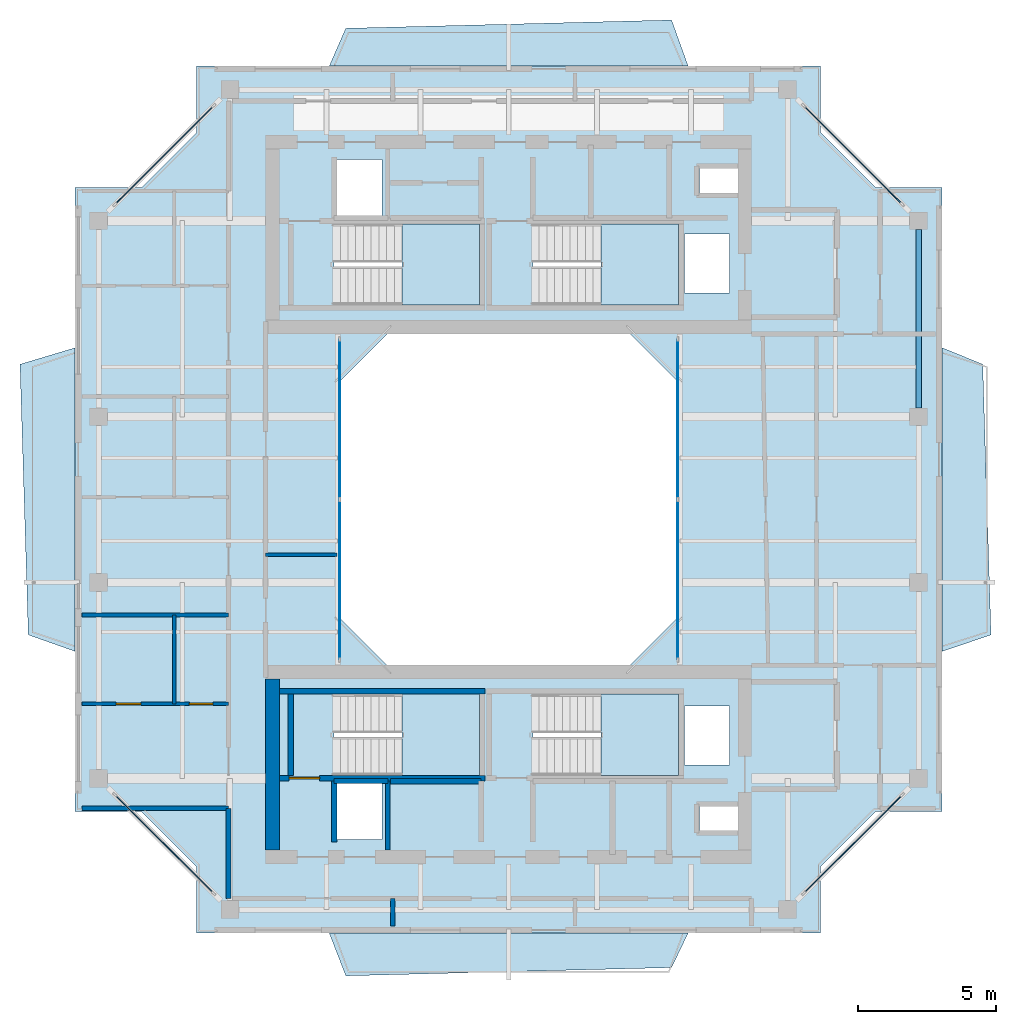
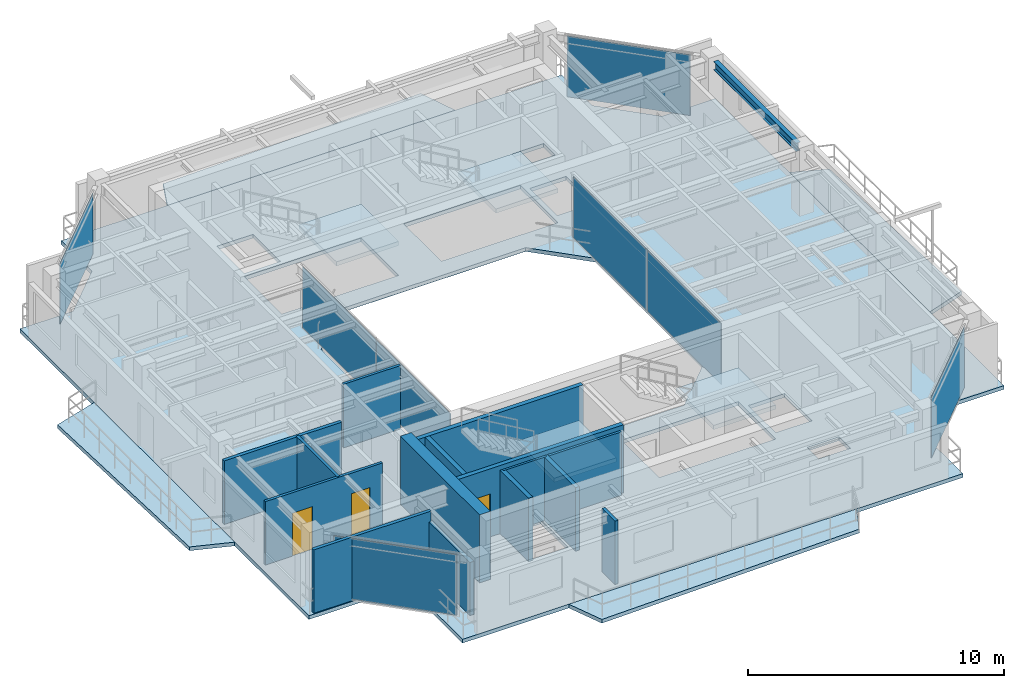
# One storey, part 8 of 14: 15 walls, 9 slabs, 8 plates, 3 doors, 1 beam, 3 openings, 10 elements without a shape of their own.
"""IFC4 building model written with IfcOpenShell, lengths in metres."""

from ifc_helpers import new_model, si_unit, direction, frame, frame_2d, origin, origin_2d, place, context, subcontext, project, spatial, polyline, rectangle, i_section, outline, extrude, source, transform, mapped, material, layer, layer_set, material_profile, profile_set, type_object, element, fill, aggregate, save


model = new_model("IFC4")

# Units and contexts
model_context = context("Model", 3, precision=1e-05, world=origin(), true_north=direction((0.0, 1.0)))
body_context = subcontext(model_context, "Body", "Model", "MODEL_VIEW")
ifc_project = project(units=[si_unit("LENGTHUNIT", "METRE"), si_unit("AREAUNIT", "SQUARE_METRE"), si_unit("VOLUMEUNIT", "CUBIC_METRE"), si_unit("PLANEANGLEUNIT", "RADIAN"), si_unit("MASSUNIT", "GRAM", prefix="KILO"), si_unit("THERMODYNAMICTEMPERATUREUNIT", "KELVIN"), si_unit("POWERUNIT", "WATT")], contexts=[model_context])

# Site, building, storey
site_placement = place(None, origin())
site = spatial("IfcSite", under=ifc_project, at=site_placement, CompositionType="ELEMENT")
building_placement = place(site_placement, origin())
building = spatial("IfcBuilding", under=site, at=building_placement, Name="Qiaomeng Ring Towers", CompositionType="ELEMENT")
storey_placement = place(building_placement, frame((0.0, 0.0, 260.0)))
storey = spatial("IfcBuildingStorey", under=building, at=storey_placement, Name="L76", CompositionType="ELEMENT", Elevation=260.0)

# Beam
ifc_material_1 = material(Name="Steel Q355B", Category="steel")
ifc_material_profile = material_profile(ifc_material_1, i_section(OverallWidth=0.198974609375, OverallDepth=0.39599609375, WebThickness=0.007080078125, FlangeThickness=0.010986328125, FilletRadius=0.01611328125, at=origin_2d()), Name="HN 396x199x7x11")
ifc_profile_set = profile_set([ifc_material_profile], Name="Steel Q355B")
beam_type = type_object("IfcBeamType", Name="STR-BM-HN396", PredefinedType="SPANDREL", material=ifc_profile_set)
shared_shape_1 = source(origin(), body_context, "Body", "SweptSolid", [
    extrude(i_section(OverallWidth=0.198974609375, OverallDepth=0.39599609375, WebThickness=0.007080078125, FlangeThickness=0.010986328125, FilletRadius=0.01611328125, at=origin_2d()), origin(), (0.0, 0.0, 1.0), 6.451904296875),
])
beam_placement = place(storey_placement, frame((33.85009765625, 26.323974609375, 2.83203125), z_axis=(0.0, 1.0, 0.0), x_axis=(-1.0, 0.0, 0.0)))
element("IfcBeam", 1, at=beam_placement, inside=storey, type_object=beam_type, Name="L76 beam STR-SP-L76-T1-E3-E4", PredefinedType="SPANDREL", context=body_context, shape_type="MappedRepresentation", body=[
    mapped(shared_shape_1, transform((0.0, 0.0, 0.0), x_axis=(1.0, 0.0, 0.0), y_axis=(0.0, 1.0, 0.0), z_axis=(0.0, 0.0, 1.0), scale=1.0)),
])

# Slabs
ifc_material_2 = material(Name="Concrete C40", Category="concrete")
ifc_layer_1 = layer(ifc_material_2, 0.179931640625, Name="Concrete C40")
ifc_layer_set_1 = layer_set([ifc_layer_1], Name="Concrete C40")
slab_type_1 = type_object("IfcSlabType", Name="STR-SL-180", PredefinedType="FLOOR", material=ifc_layer_set_1)
slab_1_placement = place(storey_placement, frame((0.0, 0.0, -0.179931640625)))
element("IfcSlab", 2, at=slab_1_placement, inside=storey, type_object=slab_type_1, Name="L76 Tower 1 Annular Floor Slab", PredefinedType="FLOOR", context=body_context, shape_type="SweptSolid", body=[
    extrude(outline(polyline([(7.699951171875, 7.300048828125), (30.300048828125, 7.300048828125), (30.300048828125, 9.699951171875), (32.300048828125, 11.699951171875), (34.699951171875, 11.699951171875), (34.699951171875, 34.300048828125), (32.300048828125, 34.300048828125), (30.300048828125, 36.300048828125), (30.300048828125, 38.699951171875), (7.699951171875, 38.699951171875), (7.699951171875, 36.300048828125), (5.699951171875, 34.300048828125), (3.300048828125, 34.300048828125), (3.300048828125, 11.699951171875), (5.699951171875, 11.699951171875), (7.699951171875, 9.699951171875), (7.699951171875, 7.300048828125)]), holes=[polyline([(12.780029296875, 10.679931640625), (12.780029296875, 12.820068359375), (14.419921875, 12.820068359375), (14.419921875, 10.679931640625), (12.780029296875, 10.679931640625)]), polyline([(12.679931640625, 13.010009765625), (12.679931640625, 15.949951171875), (17.949951171875, 15.949951171875), (17.949951171875, 13.010009765625), (12.679931640625, 13.010009765625)]), polyline([(23.199951171875, 29.199951171875), (25.199951171875, 27.199951171875), (25.199951171875, 18.800048828125), (23.199951171875, 16.800048828125), (14.800048828125, 16.800048828125), (12.800048828125, 18.800048828125), (12.800048828125, 27.199951171875), (14.800048828125, 29.199951171875), (23.199951171875, 29.199951171875)]), polyline([(12.679931640625, 32.989990234375), (17.949951171875, 32.989990234375), (17.949951171875, 30.050048828125), (12.679931640625, 30.050048828125), (12.679931640625, 32.989990234375)]), polyline([(19.8798828125, 32.989990234375), (25.14990234375, 32.989990234375), (25.14990234375, 30.050048828125), (19.8798828125, 30.050048828125), (19.8798828125, 32.989990234375)]), polyline([(12.780029296875, 33.179931640625), (12.780029296875, 35.320068359375), (14.419921875, 35.320068359375), (14.419921875, 33.179931640625), (12.780029296875, 33.179931640625)]), polyline([(25.919921875, 11.89990234375), (27.360107421875, 11.89990234375), (27.360107421875, 11.0), (25.919921875, 11.0), (25.919921875, 11.89990234375)]), polyline([(25.360107421875, 15.52001953125), (27.0, 15.52001953125), (27.0, 13.3798828125), (25.360107421875, 13.3798828125), (25.360107421875, 15.52001953125)]), polyline([(19.8798828125, 13.010009765625), (19.8798828125, 15.949951171875), (25.14990234375, 15.949951171875), (25.14990234375, 13.010009765625), (19.8798828125, 13.010009765625)]), polyline([(25.360107421875, 32.6201171875), (27.0, 32.6201171875), (27.0, 30.47998046875), (25.360107421875, 30.47998046875), (25.360107421875, 32.6201171875)]), polyline([(25.919921875, 35.0), (27.360107421875, 35.0), (27.360107421875, 34.10009765625), (25.919921875, 34.10009765625), (25.919921875, 35.0)])]), origin(), (0.0, 0.0, 1.0), 0.179931640625),
])
ifc_layer_2 = layer(ifc_material_2, 0.179931640625, Name="Concrete C40")
ifc_layer_set_2 = layer_set([ifc_layer_2], Name="Concrete C40")
slab_type_2 = type_object("IfcSlabType", Name="STR-SL-BAL", PredefinedType="FLOOR", material=ifc_layer_set_2)
slab_2_placement = place(storey_placement, frame((0.0, 0.0, -0.179931640625)))
element("IfcSlab", 3, at=slab_2_placement, inside=storey, type_object=slab_type_2, Name="L76 Tower 1 S Faceted Balcony Slab", PredefinedType="FLOOR", context=body_context, shape_type="SweptSolid", body=[
    extrude(outline(polyline([(24.89990234375, 6.050048828125), (13.10009765625, 5.75), (12.5, 7.300048828125), (25.5, 7.300048828125), (24.89990234375, 6.050048828125)])), origin(), (0.0, 0.0, 1.0), 0.179931640625),
])
slab_3_placement = place(storey_placement, frame((0.0, 0.0, -0.179931640625)))
element("IfcSlab", 4, at=slab_3_placement, inside=storey, type_object=slab_type_2, Name="L76 Tower 1 E Faceted Balcony Slab", PredefinedType="FLOOR", context=body_context, shape_type="SweptSolid", body=[
    extrude(outline(polyline([(36.169921875, 27.89990234375), (36.469970703125, 18.10009765625), (34.699951171875, 17.5), (34.699951171875, 28.5), (36.169921875, 27.89990234375)])), origin(), (0.0, 0.0, 1.0), 0.179931640625),
])
slab_4_placement = place(storey_placement, frame((0.0, 0.0, -0.179931640625)))
element("IfcSlab", 5, at=slab_4_placement, inside=storey, type_object=slab_type_2, Name="L76 Tower 1 N Faceted Balcony Slab", PredefinedType="FLOOR", context=body_context, shape_type="SweptSolid", body=[
    extrude(outline(polyline([(12.5, 38.699951171875), (13.10009765625, 40.070068359375), (24.89990234375, 40.3701171875), (25.5, 38.699951171875), (12.5, 38.699951171875)])), origin(), (0.0, 0.0, 1.0), 0.179931640625),
])
slab_5_placement = place(storey_placement, frame((0.0, 0.0, -0.179931640625)))
element("IfcSlab", 6, at=slab_5_placement, inside=storey, type_object=slab_type_2, Name="L76 Tower 1 W Faceted Balcony Slab", PredefinedType="FLOOR", context=body_context, shape_type="SweptSolid", body=[
    extrude(outline(polyline([(1.60009765625, 18.10009765625), (1.300048828125, 27.89990234375), (3.300048828125, 28.5), (3.300048828125, 17.5), (1.60009765625, 18.10009765625)])), origin(), (0.0, 0.0, 1.0), 0.179931640625),
])

# Stair, slab
ifc_material_3 = material(Name="Precast concrete C40", Category="concrete")
stair_type = type_object("IfcStairType", Name="ARC-ST-325", PredefinedType="HALF_TURN_STAIR", material=ifc_material_3)
stair_1_placement = place(storey_placement, origin())
stair_1 = element("IfcStair", 7, at=stair_1_placement, inside=storey, type_object=stair_type, Name="L76 Tower 1 North Stair 1", PredefinedType="HALF_TURN_STAIR")
ifc_layer_3 = layer(ifc_material_2, 0.199951171875, Name="Concrete C40")
ifc_layer_set_3 = layer_set([ifc_layer_3], Name="Concrete C40")
slab_type_3 = type_object("IfcSlabType", Name="STR-SL-LANDING", PredefinedType="LANDING", material=ifc_layer_set_3)
slab_6_placement = place(storey_placement, frame((0.0, 0.0, 1.425048828125)))
slab_6 = element("IfcSlab", 8, at=slab_6_placement, type_object=slab_type_3, Name="ST1 landing 1", PredefinedType="LANDING", context=body_context, shape_type="SweptSolid", body=[
    extrude(outline(polyline([(15.139892578125, 30.050048828125), (17.949951171875, 30.050048828125), (17.949951171875, 32.989990234375), (15.139892578125, 32.989990234375), (15.139892578125, 30.050048828125)])), origin(), (0.0, 0.0, 1.0), 0.199951171875),
])
aggregate(stair_1, [slab_6])

stair_2_placement = place(storey_placement, origin())
stair_2 = element("IfcStair", 9, at=stair_2_placement, inside=storey, type_object=stair_type, Name="L76 Tower 1 North Stair 2", PredefinedType="HALF_TURN_STAIR")
slab_7_placement = place(storey_placement, frame((0.0, 0.0, 1.425048828125)))
slab_7 = element("IfcSlab", 10, at=slab_7_placement, type_object=slab_type_3, Name="ST2 landing 1", PredefinedType="LANDING", context=body_context, shape_type="SweptSolid", body=[
    extrude(outline(polyline([(22.340087890625, 30.050048828125), (25.14990234375, 30.050048828125), (25.14990234375, 32.989990234375), (22.340087890625, 32.989990234375), (22.340087890625, 30.050048828125)])), origin(), (0.0, 0.0, 1.0), 0.199951171875),
])
aggregate(stair_2, [slab_7])

stair_3_placement = place(storey_placement, origin())
stair_3 = element("IfcStair", 11, at=stair_3_placement, inside=storey, type_object=stair_type, Name="L76 Tower 1 South Stair 3", PredefinedType="HALF_TURN_STAIR")
slab_8_placement = place(storey_placement, frame((0.0, 0.0, 1.425048828125)))
slab_8 = element("IfcSlab", 12, at=slab_8_placement, type_object=slab_type_3, Name="ST3 landing 1", PredefinedType="LANDING", context=body_context, shape_type="SweptSolid", body=[
    extrude(outline(polyline([(15.139892578125, 13.010009765625), (17.949951171875, 13.010009765625), (17.949951171875, 15.949951171875), (15.139892578125, 15.949951171875), (15.139892578125, 13.010009765625)])), origin(), (0.0, 0.0, 1.0), 0.199951171875),
])
aggregate(stair_3, [slab_8])

stair_4_placement = place(storey_placement, origin())
stair_4 = element("IfcStair", 13, at=stair_4_placement, inside=storey, type_object=stair_type, Name="L76 Tower 1 South Stair 4", PredefinedType="HALF_TURN_STAIR")
slab_9_placement = place(storey_placement, frame((0.0, 0.0, 1.425048828125)))
slab_9 = element("IfcSlab", 14, at=slab_9_placement, type_object=slab_type_3, Name="ST4 landing 1", PredefinedType="LANDING", context=body_context, shape_type="SweptSolid", body=[
    extrude(outline(polyline([(22.340087890625, 13.010009765625), (25.14990234375, 13.010009765625), (25.14990234375, 15.949951171875), (22.340087890625, 15.949951171875), (22.340087890625, 13.010009765625)])), origin(), (0.0, 0.0, 1.0), 0.199951171875),
])
aggregate(stair_4, [slab_9])

# Curtain wall, plates
ifc_material_4 = material(Name="Fluorocarbon dark-grey aluminium", Category="aluminium")
ifc_layer_4 = layer(ifc_material_4, 0.139892578125, Name="Fluorocarbon dark-grey aluminium")
ifc_layer_set_4 = layer_set([ifc_layer_4], Name="Fluorocarbon dark-grey aluminium")
curtain_wall_type_1 = type_object("IfcCurtainWallType", Name="ARC-CW-4", PredefinedType="NOTDEFINED", material=ifc_layer_set_4)
curtain_wall_1_placement = place(storey_placement, origin())
curtain_wall_1 = element("IfcCurtainWall", 15, at=curtain_wall_1_placement, inside=storey, type_object=curtain_wall_type_1, Name="L76 Curtain Wall CW4", PredefinedType="NOTDEFINED")
ifc_material_5 = material(Name="Low-E dark-grey laminated double glazing", Category="glass")
ifc_layer_5 = layer(ifc_material_5, 0.028076171875, Name="Low-E dark-grey laminated double glazing")
ifc_layer_set_5 = layer_set([ifc_layer_5], Name="Low-E dark-grey laminated double glazing")
plate_type = type_object("IfcPlateType", Name="ARC-CWP-DARK", PredefinedType="CURTAIN_PANEL", material=ifc_layer_set_5)
shared_shape_2 = source(origin(), body_context, "Body", "SweptSolid", [
    extrude(rectangle(XDim=5.75244140625, YDim=0.028076171875, at=origin_2d()), origin(), (0.0, 0.0, 1.0), 2.89990234375),
])
plate_1_placement = place(storey_placement, frame((12.8798828125, 20.09130859375, 0.06494140625), z_axis=(0.0, 0.0, 1.0), x_axis=(0.0, 1.0, 0.0)))
plate_1 = element("IfcPlate", 16, at=plate_1_placement, type_object=plate_type, Name="CW4 panel 1.1", PredefinedType="CURTAIN_PANEL", context=body_context, shape_type="MappedRepresentation", body=[
    mapped(shared_shape_2, transform((0.0, 0.0, 0.0), x_axis=(1.0, 0.0, 0.0), y_axis=(0.0, 1.0, 0.0), z_axis=(0.0, 0.0, 1.0), scale=1.0)),
])
plate_2_placement = place(storey_placement, frame((12.8798828125, 25.90869140625, 0.06494140625), z_axis=(0.0, 0.0, 1.0), x_axis=(0.0, 1.0, 0.0)))
plate_2 = element("IfcPlate", 17, at=plate_2_placement, type_object=plate_type, Name="CW4 panel 2.1", PredefinedType="CURTAIN_PANEL", context=body_context, shape_type="MappedRepresentation", body=[
    mapped(shared_shape_2, transform((0.0, 0.0, 0.0), x_axis=(1.0, 0.0, 0.0), y_axis=(0.0, 1.0, 0.0), z_axis=(0.0, 0.0, 1.0), scale=1.0)),
])
aggregate(curtain_wall_1, [plate_1, plate_2])

curtain_wall_2_placement = place(storey_placement, origin())
curtain_wall_2 = element("IfcCurtainWall", 18, at=curtain_wall_2_placement, inside=storey, type_object=curtain_wall_type_1, Name="L76 Curtain Wall CW4", PredefinedType="NOTDEFINED")
plate_3_placement = place(storey_placement, frame((25.1201171875, 20.09130859375, 0.06494140625), z_axis=(0.0, 0.0, 1.0), x_axis=(0.0, 1.0, 0.0)))
plate_3 = element("IfcPlate", 19, at=plate_3_placement, type_object=plate_type, Name="CW4 panel 1.1", PredefinedType="CURTAIN_PANEL", context=body_context, shape_type="MappedRepresentation", body=[
    mapped(shared_shape_2, transform((0.0, 0.0, 0.0), x_axis=(1.0, 0.0, 0.0), y_axis=(0.0, 1.0, 0.0), z_axis=(0.0, 0.0, 1.0), scale=1.0)),
])
plate_4_placement = place(storey_placement, frame((25.1201171875, 25.90869140625, 0.06494140625), z_axis=(0.0, 0.0, 1.0), x_axis=(0.0, 1.0, 0.0)))
plate_4 = element("IfcPlate", 20, at=plate_4_placement, type_object=plate_type, Name="CW4 panel 2.1", PredefinedType="CURTAIN_PANEL", context=body_context, shape_type="MappedRepresentation", body=[
    mapped(shared_shape_2, transform((0.0, 0.0, 0.0), x_axis=(1.0, 0.0, 0.0), y_axis=(0.0, 1.0, 0.0), z_axis=(0.0, 0.0, 1.0), scale=1.0)),
])
aggregate(curtain_wall_2, [plate_3, plate_4])

# Curtain wall, plate
ifc_layer_6 = layer(ifc_material_4, 0.14990234375, Name="Fluorocarbon dark-grey aluminium")
ifc_layer_set_6 = layer_set([ifc_layer_6], Name="Fluorocarbon dark-grey aluminium")
curtain_wall_type_2 = type_object("IfcCurtainWallType", Name="ARC-CW-3", PredefinedType="NOTDEFINED", material=ifc_layer_set_6)
curtain_wall_3_placement = place(storey_placement, origin())
curtain_wall_3 = element("IfcCurtainWall", 21, at=curtain_wall_3_placement, inside=storey, type_object=curtain_wall_type_2, Name="L76 Curtain Wall CW3", PredefinedType="NOTDEFINED")
shared_shape_3 = source(origin(), body_context, "Body", "SweptSolid", [
    extrude(rectangle(XDim=4.9794921875, YDim=0.028076171875, at=origin_2d()), origin(), (0.0, 0.0, 1.0), 2.89990234375),
])
plate_5_placement = place(storey_placement, frame((31.47509765625, 10.52490234375, 0.06494140625), z_axis=(0.0, 0.0, 1.0), x_axis=(0.707106781187, 0.707106781187, 0.0)))
plate_5 = element("IfcPlate", 22, at=plate_5_placement, type_object=plate_type, Name="CW3 panel 1.1", PredefinedType="CURTAIN_PANEL", context=body_context, shape_type="MappedRepresentation", body=[
    mapped(shared_shape_3, transform((0.0, 0.0, 0.0), x_axis=(1.0, 0.0, 0.0), y_axis=(0.0, 1.0, 0.0), z_axis=(0.0, 0.0, 1.0), scale=1.0)),
])
aggregate(curtain_wall_3, [plate_5])

curtain_wall_4_placement = place(storey_placement, origin())
curtain_wall_4 = element("IfcCurtainWall", 23, at=curtain_wall_4_placement, inside=storey, type_object=curtain_wall_type_2, Name="L76 Curtain Wall CW3", PredefinedType="NOTDEFINED")
plate_6_placement = place(storey_placement, frame((31.47509765625, 35.47509765625, 0.06494140625), z_axis=(0.0, 0.0, 1.0), x_axis=(-0.707106781187, 0.707106781187, 0.0)))
plate_6 = element("IfcPlate", 24, at=plate_6_placement, type_object=plate_type, Name="CW3 panel 1.1", PredefinedType="CURTAIN_PANEL", context=body_context, shape_type="MappedRepresentation", body=[
    mapped(shared_shape_3, transform((0.0, 0.0, 0.0), x_axis=(1.0, 0.0, 0.0), y_axis=(0.0, 1.0, 0.0), z_axis=(0.0, 0.0, 1.0), scale=1.0)),
])
aggregate(curtain_wall_4, [plate_6])

curtain_wall_5_placement = place(storey_placement, origin())
curtain_wall_5 = element("IfcCurtainWall", 25, at=curtain_wall_5_placement, inside=storey, type_object=curtain_wall_type_2, Name="L76 Curtain Wall CW3", PredefinedType="NOTDEFINED")
plate_7_placement = place(storey_placement, frame((6.52490234375, 35.47509765625, 0.06494140625), z_axis=(0.0, 0.0, 1.0), x_axis=(-0.707106781187, -0.707106781187, 0.0)))
plate_7 = element("IfcPlate", 26, at=plate_7_placement, type_object=plate_type, Name="CW3 panel 1.1", PredefinedType="CURTAIN_PANEL", context=body_context, shape_type="MappedRepresentation", body=[
    mapped(shared_shape_3, transform((0.0, 0.0, 0.0), x_axis=(1.0, 0.0, 0.0), y_axis=(0.0, 1.0, 0.0), z_axis=(0.0, 0.0, 1.0), scale=1.0)),
])
aggregate(curtain_wall_5, [plate_7])

curtain_wall_6_placement = place(storey_placement, origin())
curtain_wall_6 = element("IfcCurtainWall", 27, at=curtain_wall_6_placement, inside=storey, type_object=curtain_wall_type_2, Name="L76 Curtain Wall CW3", PredefinedType="NOTDEFINED")
plate_8_placement = place(storey_placement, frame((6.52490234375, 10.52490234375, 0.06494140625), z_axis=(0.0, 0.0, 1.0), x_axis=(0.707106781187, -0.707106781187, 0.0)))
plate_8 = element("IfcPlate", 28, at=plate_8_placement, type_object=plate_type, Name="CW3 panel 1.1", PredefinedType="CURTAIN_PANEL", context=body_context, shape_type="MappedRepresentation", body=[
    mapped(shared_shape_3, transform((0.0, 0.0, 0.0), x_axis=(1.0, 0.0, 0.0), y_axis=(0.0, 1.0, 0.0), z_axis=(0.0, 0.0, 1.0), scale=1.0)),
])
aggregate(curtain_wall_6, [plate_8])

# Walls
ifc_material_6 = material(Name="Autoclaved aerated concrete block", Category="concrete")
ifc_layer_7 = layer(ifc_material_6, 0.199951171875, Name="Autoclaved aerated concrete block")
ifc_layer_set_7 = layer_set([ifc_layer_7], Name="Autoclaved aerated concrete block")
wall_type_1 = type_object("IfcWallType", Name="ARC-WL-PW1", PredefinedType="PARTITIONING", material=ifc_layer_set_7)
wall_1_placement = place(storey_placement, frame((12.679931640625, 10.60009765625, 0.0), z_axis=(0.0, 0.0, 1.0), x_axis=(0.0, 1.0, 0.0)))
element("IfcWall", 29, at=wall_1_placement, inside=storey, type_object=wall_type_1, Name="L76 Interior Wall PW1", PredefinedType="PARTITIONING", context=body_context, shape_type="SweptSolid", body=[
    extrude(rectangle(XDim=2.2099609375, YDim=0.199951171875, at=frame_2d((1.10498046875, 0.0))), origin(), (0.0, 0.0, 1.0), 3.030029296875),
])
wall_2_placement = place(storey_placement, frame((14.719970703125, 12.800048828125, 0.0), z_axis=(0.0, 0.0, 1.0), x_axis=(1.0, 0.0, 0.0)))
element("IfcWall", 30, at=wall_2_placement, inside=storey, type_object=wall_type_1, Name="L76 Interior Wall PW1", PredefinedType="PARTITIONING", context=body_context, shape_type="SweptSolid", body=[
    extrude(rectangle(XDim=3.280029296875, YDim=0.199951171875, at=frame_2d((1.64013671875, 0.0))), origin(), (0.0, 0.0, 1.0), 3.030029296875),
])
ifc_layer_8 = layer(ifc_material_6, 0.179931640625, Name="Autoclaved aerated concrete block")
ifc_layer_set_8 = layer_set([ifc_layer_8], Name="Autoclaved aerated concrete block")
wall_type_2 = type_object("IfcWallType", Name="ARC-WL-PW2", PredefinedType="PARTITIONING", material=ifc_layer_set_8)
wall_3_placement = place(storey_placement, frame((8.85009765625, 8.56005859375, 0.0), z_axis=(0.0, 0.0, 1.0), x_axis=(0.0, 1.0, 0.0)))
element("IfcWall", 31, at=wall_3_placement, inside=storey, type_object=wall_type_2, Name="L76 Interior Wall PW2", PredefinedType="PARTITIONING", context=body_context, shape_type="SweptSolid", body=[
    extrude(rectangle(XDim=3.260009765625, YDim=0.179931640625, at=frame_2d((1.6298828125, 0.0))), origin(), (0.0, 0.0, 1.0), 2.529052734375),
])
ifc_material_7 = material(Name="Gypsum fireboard steel-stud partition", Category="steel")
ifc_layer_9 = layer(ifc_material_7, 0.14990234375, Name="Gypsum fireboard steel-stud partition")
ifc_layer_set_9 = layer_set([ifc_layer_9], Name="Gypsum fireboard steel-stud partition")
wall_type_3 = type_object("IfcWallType", Name="ARC-WL-PW3", PredefinedType="PARTITIONING", material=ifc_layer_set_9)
wall_4_placement = place(storey_placement, frame((3.550048828125, 11.820068359375, 0.0), z_axis=(0.0, 0.0, 1.0), x_axis=(1.0, 0.0, 0.0)))
element("IfcWall", 32, at=wall_4_placement, inside=storey, type_object=wall_type_3, Name="L76 Interior Wall PW3", PredefinedType="PARTITIONING", context=body_context, shape_type="SweptSolid", body=[
    extrude(rectangle(XDim=5.300048828125, YDim=0.14990234375, at=frame_2d((2.64990234375, 0.0))), origin(), (0.0, 0.0, 1.0), 3.030029296875),
])
wall_5_placement = place(storey_placement, frame((14.800048828125, 7.550048828125, 0.0), z_axis=(0.0, 0.0, 1.0), x_axis=(0.0, 1.0, 0.0)))
element("IfcWall", 33, at=wall_5_placement, inside=storey, type_object=wall_type_3, Name="L76 Interior Wall PW3", PredefinedType="PARTITIONING", context=body_context, shape_type="SweptSolid", body=[
    extrude(rectangle(XDim=1.010009765625, YDim=0.14990234375, at=frame_2d((0.5048828125, 0.0))), origin(), (0.0, 0.0, 1.0), 3.030029296875),
])
wall_6_placement = place(storey_placement, frame((3.550048828125, 18.820068359375, 0.0), z_axis=(0.0, 0.0, 1.0), x_axis=(1.0, 0.0, 0.0)))
element("IfcWall", 34, at=wall_6_placement, inside=storey, type_object=wall_type_3, Name="L76 Interior Wall PW3", PredefinedType="PARTITIONING", context=body_context, shape_type="SweptSolid", body=[
    extrude(rectangle(XDim=5.300048828125, YDim=0.14990234375, at=frame_2d((2.64990234375, 0.0))), origin(), (0.0, 0.0, 1.0), 3.030029296875),
])

# Wall, openings, doors
ifc_material_8 = material(Name="Moisture-resistant gypsum steel-stud partition", Category="steel")
ifc_layer_10 = layer(ifc_material_8, 0.1201171875, Name="Moisture-resistant gypsum steel-stud partition")
ifc_layer_set_10 = layer_set([ifc_layer_10], Name="Moisture-resistant gypsum steel-stud partition")
wall_type_4 = type_object("IfcWallType", Name="ARC-WL-PW4", PredefinedType="PLUMBINGWALL", material=ifc_layer_set_10)
wall_7_placement = place(storey_placement, frame((3.550048828125, 15.60009765625, 0.0), z_axis=(0.0, 0.0, 1.0), x_axis=(1.0, 0.0, 0.0)))
wall_7 = element("IfcWall", 35, at=wall_7_placement, inside=storey, type_object=wall_type_4, Name="L76 Interior Wall PW4", PredefinedType="PLUMBINGWALL", context=body_context, shape_type="SweptSolid", body=[
    extrude(rectangle(XDim=5.300048828125, YDim=0.1201171875, at=frame_2d((2.64990234375, 0.0))), origin(), (0.0, 0.0, 1.0), 3.030029296875),
])
opening_1_placement = place(wall_7_placement, frame((1.22998046875, 0.0, 0.0)))
opening_1 = element("IfcOpeningElement", 36, at=opening_1_placement, cuts=wall_7, Name="Opening ID1", PredefinedType="OPENING", context=body_context, shape_type="SweptSolid", body=[
    extrude(rectangle(XDim=0.89990234375, YDim=2.050048828125, at=frame_2d((0.449951171875, 1.02490234375))), frame((0.0, 0.070068359375, 0.0), z_axis=(0.0, -1.0, 0.0), x_axis=(1.0, 0.0, 0.0)), (0.0, 0.0, 1.0), 0.14013671875),
])
opening_2_placement = place(wall_7_placement, frame((3.885009765625, 0.0, 0.0)))
opening_2 = element("IfcOpeningElement", 37, at=opening_2_placement, cuts=wall_7, Name="Opening ID2", PredefinedType="OPENING", context=body_context, shape_type="SweptSolid", body=[
    extrude(rectangle(XDim=0.85009765625, YDim=2.050048828125, at=frame_2d((0.425048828125, 1.02490234375))), frame((0.0, 0.070068359375, 0.0), z_axis=(0.0, -1.0, 0.0), x_axis=(1.0, 0.0, 0.0)), (0.0, 0.0, 1.0), 0.14013671875),
])
ifc_material_9 = material(Name="Moisture-resistant engineered timber", Category="wood")
door_type_1 = type_object("IfcDoorType", Name="ARC-DR-ID2", OperationType="NOTDEFINED", PredefinedType="DOOR", material=ifc_material_9)
shared_shape_4 = source(origin(), body_context, "Body", "SweptSolid", [
    extrude(rectangle(XDim=0.85009765625, YDim=2.050048828125, at=frame_2d((0.425048828125, 1.02490234375))), frame((0.0, 0.02490234375, 0.0), z_axis=(0.0, -1.0, 0.0), x_axis=(1.0, 0.0, 0.0)), (0.0, 0.0, 1.0), 0.050048828125),
])
door_1_placement = place(opening_2_placement, origin())
door_1 = element("IfcDoor", 38, at=door_1_placement, inside=storey, type_object=door_type_1, Name="L76 Door ID2", OperationType="SINGLE_SWING_LEFT", OverallHeight=2.050048828125, OverallWidth=0.85009765625, PredefinedType="DOOR", context=body_context, shape_type="MappedRepresentation", body=[
    mapped(shared_shape_4, transform((0.0, 0.0, 0.0), x_axis=(1.0, 0.0, 0.0), y_axis=(0.0, 1.0, 0.0), z_axis=(0.0, 0.0, 1.0), scale=1.0)),
])
fill(opening_2, door_1)
ifc_material_10 = material(Name="Engineered oak timber", Category="wood")
door_type_2 = type_object("IfcDoorType", Name="ARC-DR-ID1", OperationType="NOTDEFINED", PredefinedType="DOOR", material=ifc_material_10)
shared_shape_5 = source(origin(), body_context, "Body", "SweptSolid", [
    extrude(rectangle(XDim=0.89990234375, YDim=2.050048828125, at=frame_2d((0.449951171875, 1.02490234375))), frame((0.0, 0.02490234375, 0.0), z_axis=(0.0, -1.0, 0.0), x_axis=(1.0, 0.0, 0.0)), (0.0, 0.0, 1.0), 0.050048828125),
])
door_2_placement = place(opening_1_placement, origin())
door_2 = element("IfcDoor", 39, at=door_2_placement, inside=storey, type_object=door_type_2, Name="L76 Door ID1", OperationType="SINGLE_SWING_RIGHT", OverallHeight=2.050048828125, OverallWidth=0.89990234375, PredefinedType="DOOR", context=body_context, shape_type="MappedRepresentation", body=[
    mapped(shared_shape_5, transform((0.0, 0.0, 0.0), x_axis=(1.0, 0.0, 0.0), y_axis=(0.0, 1.0, 0.0), z_axis=(0.0, 0.0, 1.0), scale=1.0)),
])
fill(opening_1, door_2)

# Walls
wall_8_placement = place(storey_placement, frame((6.889892578125, 15.60009765625, 0.0), z_axis=(0.0, 0.0, 1.0), x_axis=(0.0, 1.0, 0.0)))
element("IfcWall", 40, at=wall_8_placement, inside=storey, type_object=wall_type_4, Name="L76 Interior Wall PW4", PredefinedType="PLUMBINGWALL", context=body_context, shape_type="SweptSolid", body=[
    extrude(rectangle(XDim=3.219970703125, YDim=0.1201171875, at=frame_2d((1.60986328125, 0.0))), origin(), (0.0, 0.0, 1.0), 3.030029296875),
])
wall_9_placement = place(storey_placement, frame((10.199951171875, 21.0, 0.0), z_axis=(0.0, 0.0, 1.0), x_axis=(1.0, 0.0, 0.0)))
element("IfcWall", 41, at=wall_9_placement, inside=storey, type_object=wall_type_4, Name="L76 Interior Wall PW4", PredefinedType="PLUMBINGWALL", context=body_context, shape_type="SweptSolid", body=[
    extrude(rectangle(XDim=2.580078125, YDim=0.1201171875, at=frame_2d((1.2900390625, 0.0))), origin(), (0.0, 0.0, 1.0), 3.030029296875),
])
ifc_layer_11 = layer(ifc_material_2, 0.199951171875, Name="Concrete C40")
ifc_layer_set_11 = layer_set([ifc_layer_11], Name="Concrete C40")
wall_type_5 = type_object("IfcWallType", Name="STR-WL-STSHAFT", PredefinedType="SHEAR", material=ifc_layer_set_11)
wall_10_placement = place(storey_placement, frame((12.679931640625, 12.800048828125, 0.0), z_axis=(0.0, 0.0, 1.0), x_axis=(1.0, 0.0, 0.0)))
element("IfcWall", 42, at=wall_10_placement, inside=storey, type_object=wall_type_5, Name="L76 Lift LP6 Shaft Back Wall", PredefinedType="SHEAR", context=body_context, shape_type="SweptSolid", body=[
    extrude(rectangle(XDim=1.940185546875, YDim=0.179931640625, at=frame_2d((0.97021484375, 0.0))), origin(), (0.0, 0.0, 1.0), 3.030029296875),
])
wall_11_placement = place(storey_placement, frame((14.6201171875, 10.300048828125, 0.0), z_axis=(0.0, 0.0, 1.0), x_axis=(0.0, 1.0, 0.0)))
element("IfcWall", 43, at=wall_11_placement, inside=storey, type_object=wall_type_5, Name="L76 Lift LP6-LP4 Shaft Divider Wall", PredefinedType="SHEAR", context=body_context, shape_type="SweptSolid", body=[
    extrude(rectangle(XDim=2.5, YDim=0.179931640625, at=frame_2d((1.25, 0.0))), origin(), (0.0, 0.0, 1.0), 3.030029296875),
])

# Wall, opening, door
wall_12_placement = place(storey_placement, frame((10.699951171875, 12.909912109375, 0.0), z_axis=(0.0, 0.0, 1.0), x_axis=(1.0, 0.0, 0.0)))
wall_12 = element("IfcWall", 44, at=wall_12_placement, inside=storey, type_object=wall_type_5, Name="L76 Stair ST3 South Shaft Shear Wall", PredefinedType="SHEAR", context=body_context, shape_type="SweptSolid", body=[
    extrude(rectangle(XDim=7.449951171875, YDim=0.199951171875, at=frame_2d((3.72509765625, 0.0))), origin(), (0.0, 0.0, 1.0), 3.25),
])
opening_3_placement = place(wall_12_placement, frame((0.35009765625, 0.0, 0.0)))
opening_3 = element("IfcOpeningElement", 45, at=opening_3_placement, cuts=wall_12, Name="Opening FD3", PredefinedType="OPENING", context=body_context, shape_type="SweptSolid", body=[
    extrude(rectangle(XDim=1.10009765625, YDim=2.050048828125, at=frame_2d((0.550048828125, 1.02490234375))), frame((0.0, 0.10986328125, 0.0), z_axis=(0.0, -1.0, 0.0), x_axis=(1.0, 0.0, 0.0)), (0.0, 0.0, 1.0), 0.219970703125),
])
ifc_material_11 = material(Name="Galvanised steel", Category="steel")
door_type_3 = type_object("IfcDoorType", Name="ARC-DR-FD3", OperationType="NOTDEFINED", PredefinedType="DOOR", material=ifc_material_11)
shared_shape_6 = source(origin(), body_context, "Body", "SweptSolid", [
    extrude(rectangle(XDim=1.10009765625, YDim=2.050048828125, at=frame_2d((0.550048828125, 1.02490234375))), frame((0.0, 0.02490234375, 0.0), z_axis=(0.0, -1.0, 0.0), x_axis=(1.0, 0.0, 0.0)), (0.0, 0.0, 1.0), 0.050048828125),
])
door_3_placement = place(opening_3_placement, frame((1.10009765625, 0.0, 0.0), z_axis=(0.0, 0.0, 1.0), x_axis=(-1.0, 0.0, 0.0)))
door_3 = element("IfcDoor", 46, at=door_3_placement, inside=storey, type_object=door_type_3, Name="L76 Stair ST3 Exit Door", OperationType="SINGLE_SWING_RIGHT", OverallHeight=2.050048828125, OverallWidth=1.10009765625, PredefinedType="DOOR", context=body_context, shape_type="MappedRepresentation", body=[
    mapped(shared_shape_6, transform((0.0, 0.0, 0.0), x_axis=(1.0, 0.0, 0.0), y_axis=(0.0, 1.0, 0.0), z_axis=(0.0, 0.0, 1.0), scale=1.0)),
])
fill(opening_3, door_3)

# Walls
wall_13_placement = place(storey_placement, frame((10.699951171875, 16.050048828125, 0.0), z_axis=(0.0, 0.0, 1.0), x_axis=(1.0, 0.0, 0.0)))
element("IfcWall", 47, at=wall_13_placement, inside=storey, type_object=wall_type_5, Name="L76 Stair ST3 North Shaft Shear Wall", PredefinedType="SHEAR", context=body_context, shape_type="SweptSolid", body=[
    extrude(rectangle(XDim=7.449951171875, YDim=0.199951171875, at=frame_2d((3.72509765625, 0.0))), origin(), (0.0, 0.0, 1.0), 3.25),
])
wall_14_placement = place(storey_placement, frame((11.10009765625, 13.010009765625, 0.0), z_axis=(0.0, 0.0, 1.0), x_axis=(0.0, 1.0, 0.0)))
element("IfcWall", 48, at=wall_14_placement, inside=storey, type_object=wall_type_5, Name="L76 Stair ST3 West Shaft Shear Wall", PredefinedType="SHEAR", context=body_context, shape_type="SweptSolid", body=[
    extrude(rectangle(XDim=2.93994140625, YDim=0.199951171875, at=frame_2d((1.469970703125, 0.0))), origin(), (0.0, 0.0, 1.0), 3.25),
])
ifc_layer_12 = layer(ifc_material_2, 0.5, Name="Concrete C40")
ifc_layer_set_12 = layer_set([ifc_layer_12], Name="Concrete C40")
wall_type_6 = type_object("IfcWallType", Name="STR-WL-SW3", PredefinedType="SHEAR", material=ifc_layer_set_12)
wall_15_placement = place(storey_placement, frame((10.449951171875, 10.300048828125, 0.0), z_axis=(0.0, 0.0, 1.0), x_axis=(0.0, 1.0, 0.0)))
element("IfcWall", 49, at=wall_15_placement, inside=storey, type_object=wall_type_6, Name="L76 T1SC west core shear wall", PredefinedType="SHEAR", context=body_context, shape_type="SweptSolid", body=[
    extrude(rectangle(XDim=6.199951171875, YDim=0.5, at=frame_2d((3.10009765625, 0.0))), origin(), (0.0, 0.0, 1.0), 3.25),
])

save(model, "model.ifc")
